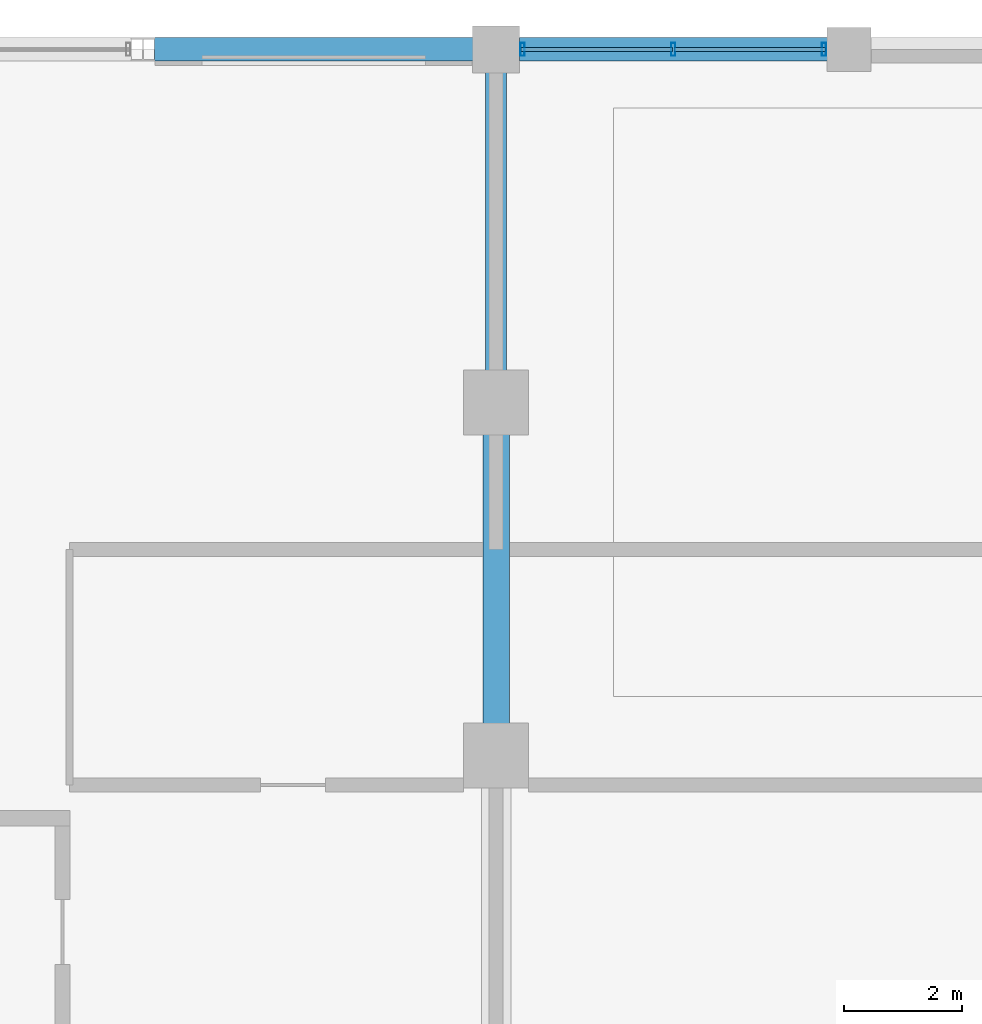
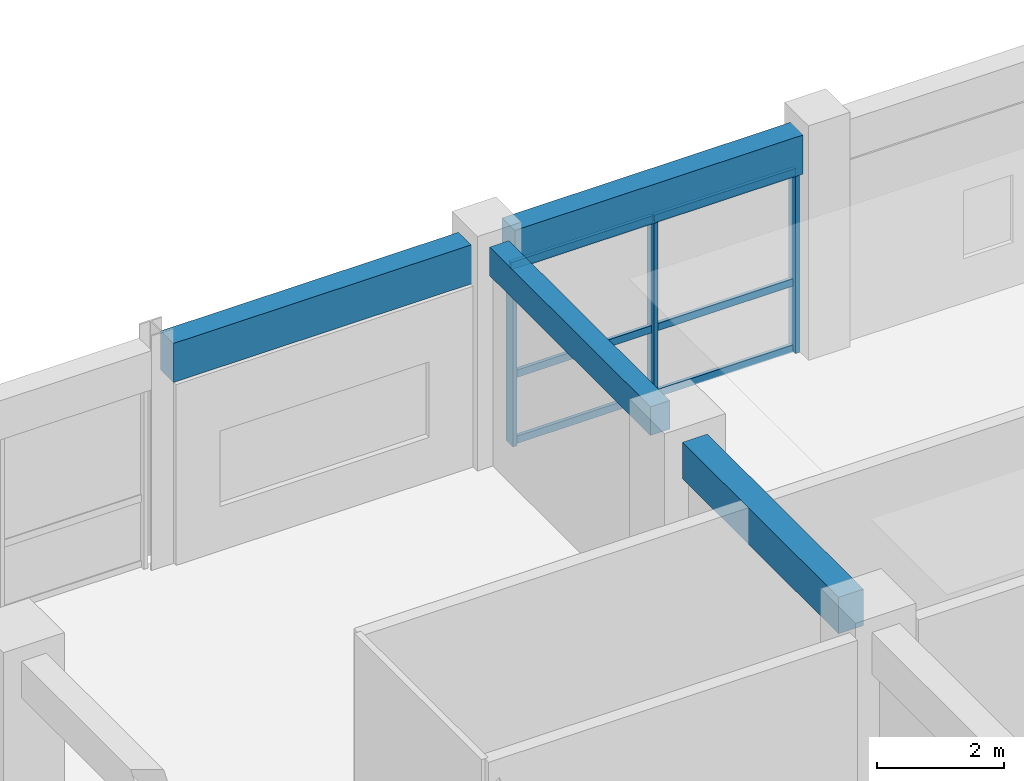
# One storey, part 46 of 133: 9 members, 4 beams, 1 element without a shape of its own.
"""IFC4 building model written with IfcOpenShell, lengths in metres."""

from ifc_helpers import new_model, si_unit, direction, frame, origin, origin_2d, place, context, subcontext, project, spatial, rectangle, hollow_rectangle, extrude, material, material_profile, profile_set, type_object, element, aggregate, save


model = new_model("IFC4")

# Units and contexts
model_context = context("Model", 3, precision=1e-05, world=origin(), true_north=direction((0.0, 1.0)))
body_context = subcontext(model_context, "Body", "Model", "MODEL_VIEW")
ifc_project = project(units=[si_unit("LENGTHUNIT", "METRE"), si_unit("AREAUNIT", "SQUARE_METRE"), si_unit("VOLUMEUNIT", "CUBIC_METRE"), si_unit("PLANEANGLEUNIT", "RADIAN"), si_unit("MASSUNIT", "GRAM", prefix="KILO"), si_unit("THERMODYNAMICTEMPERATUREUNIT", "KELVIN"), si_unit("POWERUNIT", "WATT")], contexts=[model_context])

# Site, building, storey
site_placement = place(None, origin())
site = spatial("IfcSite", under=ifc_project, at=site_placement, CompositionType="ELEMENT")
building_placement = place(site_placement, origin())
building = spatial("IfcBuilding", under=site, at=building_placement, Name="Phaisarnlok Congress Hotel", CompositionType="ELEMENT")
storey_placement = place(building_placement, frame((0.0, 0.0, 6.0)))
storey = spatial("IfcBuildingStorey", under=building, at=storey_placement, Name="L01", CompositionType="ELEMENT", Elevation=6.0)

# Beams
ifc_material_1 = material(Name="Concrete C40/50", Category="concrete")
ifc_material_profile_1 = material_profile(ifc_material_1, rectangle(XDim=0.35009765625, YDim=0.550048828125, at=origin_2d()), Name="RC 350x550")
ifc_profile_set_1 = profile_set([ifc_material_profile_1], Name="Concrete C40/50")
beam_type_1 = type_object("IfcBeamType", Name="BM-RC-350x550", PredefinedType="BEAM", material=ifc_profile_set_1)
beam_1_placement = place(storey_placement, frame((84.0, 120.544921875, 3.945068359375), z_axis=(0.0, 1.0, 0.0), x_axis=(-1.0, 0.0, 0.0)))
element("IfcBeam", 1, at=beam_1_placement, inside=storey, type_object=beam_type_1, Name="Beam B-01", PredefinedType="BEAM", context=body_context, shape_type="SweptSolid", body=[
    extrude(rectangle(XDim=0.35009765625, YDim=0.550048828125, at=origin_2d()), origin(), (0.0, 0.0, 1.0), 5.06005859375),
])
ifc_material_profile_2 = material_profile(ifc_material_1, rectangle(XDim=0.449951171875, YDim=0.699951171875, at=origin_2d()), Name="RC 450x700")
ifc_profile_set_2 = profile_set([ifc_material_profile_2], Name="Concrete C40/50")
beam_type_2 = type_object("IfcBeamType", Name="BM-RC-450x700", PredefinedType="BEAM", material=ifc_profile_set_2)
beam_2_placement = place(storey_placement, frame((84.0, 114.544921875, 3.8701171875), z_axis=(0.0, 1.0, 0.0), x_axis=(-1.0, 0.0, 0.0)))
element("IfcBeam", 2, at=beam_2_placement, inside=storey, type_object=beam_type_2, Name="Beam B-03", PredefinedType="BEAM", context=body_context, shape_type="SweptSolid", body=[
    extrude(rectangle(XDim=0.449951171875, YDim=0.699951171875, at=origin_2d()), origin(), (0.0, 0.0, 1.0), 4.91015625),
])

# Curtain wall, members
ifc_material_2 = material(Name="Thermally Broken Unitised Aluminium & Low-E Glazing", Category="aluminium")
curtain_wall_type = type_object("IfcCurtainWallType", Name="CW-UNIT-15", PredefinedType="NOTDEFINED", material=ifc_material_2)
curtain_wall_placement = place(storey_placement, origin())
curtain_wall = element("IfcCurtainWall", 3, at=curtain_wall_placement, inside=storey, type_object=curtain_wall_type, Name="Unitised curtain wall CW-15 (L01)", PredefinedType="NOTDEFINED")
ifc_material_3 = material(Name="Anodised Aluminium Alloy 6063-T6", Category="aluminium")
ifc_material_profile_3 = material_profile(ifc_material_3, hollow_rectangle(XDim=0.074951171875, YDim=0.219970703125, WallThickness=0.0048828125, at=origin_2d()), Name="ALU-M 75x220x5")
ifc_profile_set_3 = profile_set([ifc_material_profile_3], Name="Anodised Aluminium Alloy 6063-T6")
member_type_1 = type_object("IfcMemberType", Name="CWM-220", PredefinedType="MULLION", material=ifc_profile_set_3)
member_1_placement = place(storey_placement, frame((89.574951171875, 126.0, 0.0), z_axis=(0.0, 0.0, 1.0), x_axis=(-1.0, 0.0, 0.0)))
member_1 = element("IfcMember", 4, at=member_1_placement, type_object=member_type_1, Name="Curtain wall mullion CWM-02", PredefinedType="MULLION", context=body_context, shape_type="SweptSolid", body=[
    extrude(hollow_rectangle(XDim=0.074951171875, YDim=0.219970703125, WallThickness=0.0048828125, at=origin_2d()), origin(), (0.0, 0.0, 1.0), 3.469970703125),
])
member_2_placement = place(storey_placement, frame((87.012451171875, 126.0, 0.0), z_axis=(0.0, 0.0, 1.0), x_axis=(-1.0, 0.0, 0.0)))
member_2 = element("IfcMember", 5, at=member_2_placement, type_object=member_type_1, Name="Curtain wall mullion CWM-02", PredefinedType="MULLION", context=body_context, shape_type="SweptSolid", body=[
    extrude(hollow_rectangle(XDim=0.074951171875, YDim=0.219970703125, WallThickness=0.0048828125, at=origin_2d()), origin(), (0.0, 0.0, 1.0), 3.469970703125),
])
member_3_placement = place(storey_placement, frame((84.449951171875, 126.0, 0.0), z_axis=(0.0, 0.0, 1.0), x_axis=(-1.0, 0.0, 0.0)))
member_3 = element("IfcMember", 6, at=member_3_placement, type_object=member_type_1, Name="Curtain wall mullion CWM-02", PredefinedType="MULLION", context=body_context, shape_type="SweptSolid", body=[
    extrude(hollow_rectangle(XDim=0.074951171875, YDim=0.219970703125, WallThickness=0.0048828125, at=origin_2d()), origin(), (0.0, 0.0, 1.0), 3.469970703125),
])
ifc_material_profile_4 = material_profile(ifc_material_3, hollow_rectangle(XDim=0.06494140625, YDim=0.139892578125, WallThickness=0.00390625, at=origin_2d()), Name="ALU-T 65x140x4")
ifc_profile_set_4 = profile_set([ifc_material_profile_4], Name="Anodised Aluminium Alloy 6063-T6")
member_type_2 = type_object("IfcMemberType", Name="CWT-150", PredefinedType="USERDEFINED", material=ifc_profile_set_4)
member_4_placement = place(storey_placement, frame((89.60009765625, 126.0, 0.050048828125), z_axis=(-1.0, 0.0, 0.0), x_axis=(0.0, -1.0, 0.0)))
member_4 = element("IfcMember", 7, at=member_4_placement, type_object=member_type_2, Name="Curtain wall transom CWT-01", ObjectType="TRANSOM", PredefinedType="USERDEFINED", context=body_context, shape_type="SweptSolid", body=[
    extrude(hollow_rectangle(XDim=0.06494140625, YDim=0.139892578125, WallThickness=0.00390625, at=origin_2d()), origin(), (0.0, 0.0, 1.0), 2.572509765625),
])
member_5_placement = place(storey_placement, frame((89.60009765625, 126.0, 1.318603515625), z_axis=(-1.0, 0.0, 0.0), x_axis=(0.0, -1.0, 0.0)))
member_5 = element("IfcMember", 8, at=member_5_placement, type_object=member_type_2, Name="Curtain wall transom CWT-01", ObjectType="TRANSOM", PredefinedType="USERDEFINED", context=body_context, shape_type="SweptSolid", body=[
    extrude(hollow_rectangle(XDim=0.06494140625, YDim=0.139892578125, WallThickness=0.00390625, at=origin_2d()), origin(), (0.0, 0.0, 1.0), 2.572509765625),
])
member_6_placement = place(storey_placement, frame((89.60009765625, 126.0, 3.419921875), z_axis=(-1.0, 0.0, 0.0), x_axis=(0.0, -1.0, 0.0)))
member_6 = element("IfcMember", 9, at=member_6_placement, type_object=member_type_2, Name="Curtain wall transom CWT-01", ObjectType="TRANSOM", PredefinedType="USERDEFINED", context=body_context, shape_type="SweptSolid", body=[
    extrude(hollow_rectangle(XDim=0.06494140625, YDim=0.139892578125, WallThickness=0.00390625, at=origin_2d()), origin(), (0.0, 0.0, 1.0), 2.572509765625),
])
member_7_placement = place(storey_placement, frame((86.99755859375, 126.0, 0.050048828125), z_axis=(-1.0, 0.0, 0.0), x_axis=(0.0, -1.0, 0.0)))
member_7 = element("IfcMember", 10, at=member_7_placement, type_object=member_type_2, Name="Curtain wall transom CWT-01", ObjectType="TRANSOM", PredefinedType="USERDEFINED", context=body_context, shape_type="SweptSolid", body=[
    extrude(hollow_rectangle(XDim=0.06494140625, YDim=0.139892578125, WallThickness=0.00390625, at=origin_2d()), origin(), (0.0, 0.0, 1.0), 2.572509765625),
])
member_8_placement = place(storey_placement, frame((86.99755859375, 126.0, 1.318603515625), z_axis=(-1.0, 0.0, 0.0), x_axis=(0.0, -1.0, 0.0)))
member_8 = element("IfcMember", 11, at=member_8_placement, type_object=member_type_2, Name="Curtain wall transom CWT-01", ObjectType="TRANSOM", PredefinedType="USERDEFINED", context=body_context, shape_type="SweptSolid", body=[
    extrude(hollow_rectangle(XDim=0.06494140625, YDim=0.139892578125, WallThickness=0.00390625, at=origin_2d()), origin(), (0.0, 0.0, 1.0), 2.572509765625),
])
member_9_placement = place(storey_placement, frame((86.99755859375, 126.0, 3.419921875), z_axis=(-1.0, 0.0, 0.0), x_axis=(0.0, -1.0, 0.0)))
member_9 = element("IfcMember", 12, at=member_9_placement, type_object=member_type_2, Name="Curtain wall transom CWT-01", ObjectType="TRANSOM", PredefinedType="USERDEFINED", context=body_context, shape_type="SweptSolid", body=[
    extrude(hollow_rectangle(XDim=0.06494140625, YDim=0.139892578125, WallThickness=0.00390625, at=origin_2d()), origin(), (0.0, 0.0, 1.0), 2.572509765625),
])
aggregate(curtain_wall, [member_1, member_2, member_3, member_4, member_5, member_6, member_7, member_8, member_9])

# Beams
ifc_material_profile_5 = material_profile(ifc_material_1, rectangle(XDim=0.39990234375, YDim=0.75, at=origin_2d()), Name="RC 400x750")
ifc_profile_set_5 = profile_set([ifc_material_profile_5], Name="Concrete C40/50")
beam_type_3 = type_object("IfcBeamType", Name="SP-RC-400x750", PredefinedType="SPANDREL", material=ifc_profile_set_5)
beam_3_placement = place(storey_placement, frame((78.195556640625, 126.0, 3.844970703125), z_axis=(1.0, 0.0, 0.0), x_axis=(0.0, 1.0, 0.0)))
element("IfcBeam", 13, at=beam_3_placement, inside=storey, type_object=beam_type_3, Name="Beam SP-02", PredefinedType="SPANDREL", context=body_context, shape_type="SweptSolid", body=[
    extrude(rectangle(XDim=0.39990234375, YDim=0.75, at=origin_2d()), origin(), (0.0, 0.0, 1.0), 5.409423828125),
])
beam_4_placement = place(storey_placement, frame((84.39501953125, 126.0, 3.844970703125), z_axis=(1.0, 0.0, 0.0), x_axis=(0.0, 1.0, 0.0)))
element("IfcBeam", 14, at=beam_4_placement, inside=storey, type_object=beam_type_3, Name="Beam SP-02", PredefinedType="SPANDREL", context=body_context, shape_type="SweptSolid", body=[
    extrude(rectangle(XDim=0.39990234375, YDim=0.75, at=origin_2d()), origin(), (0.0, 0.0, 1.0), 5.23486328125),
])

save(model, "model.ifc")
